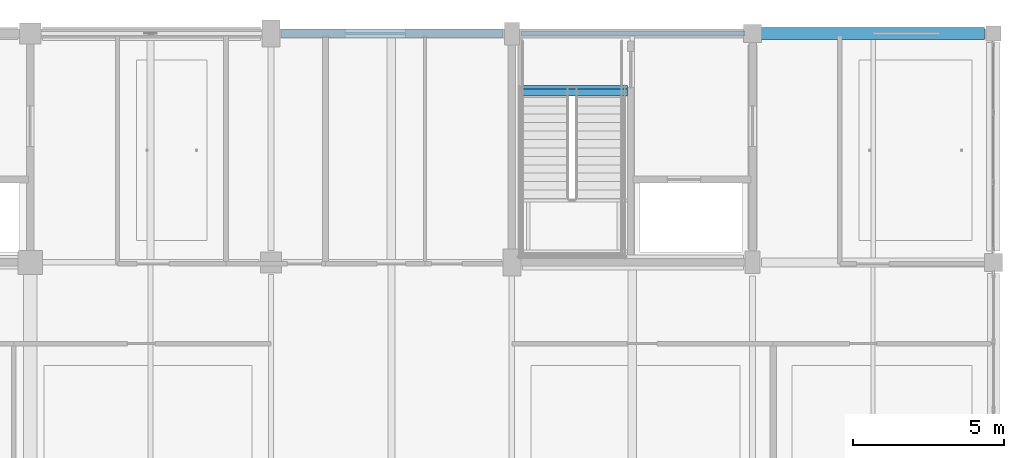
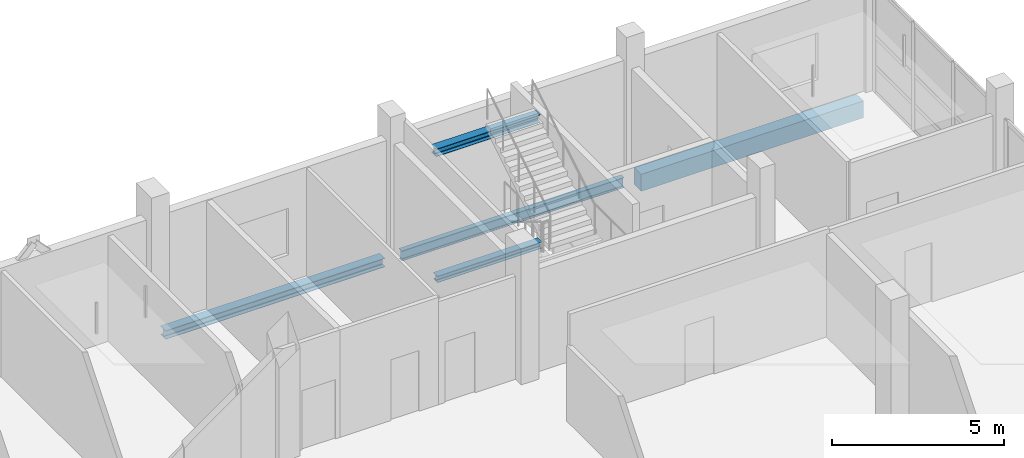
# One storey, part 66 of 147: 5 beams.
"""IFC4 building model written with IfcOpenShell, lengths in metres."""

from ifc_helpers import new_model, si_unit, direction, frame, origin, origin_2d, place, context, subcontext, project, spatial, rectangle, i_section, extrude, material, material_profile, profile_set, type_object, element, save


model = new_model("IFC4")

# Units and contexts
model_context = context("Model", 3, precision=1e-05, world=origin(), true_north=direction((0.0, 1.0)))
body_context = subcontext(model_context, "Body", "Model", "MODEL_VIEW")
ifc_project = project(units=[si_unit("LENGTHUNIT", "METRE"), si_unit("AREAUNIT", "SQUARE_METRE"), si_unit("VOLUMEUNIT", "CUBIC_METRE"), si_unit("PLANEANGLEUNIT", "RADIAN"), si_unit("MASSUNIT", "GRAM", prefix="KILO")], contexts=[model_context])

# Site, building, storey
site_placement = place(None, origin())
site = spatial("IfcSite", under=ifc_project, at=site_placement, CompositionType="ELEMENT")
building_placement = place(site_placement, origin())
building = spatial("IfcBuilding", under=site, at=building_placement, Name="Khelvaren Railside Concert Hall", CompositionType="ELEMENT")
storey_placement = place(building_placement, frame((0.0, 0.0, 5.39990234375)))
storey = spatial("IfcBuildingStorey", under=building, at=storey_placement, Name="L01", CompositionType="ELEMENT", Elevation=5.39990234375)

# Beams
ifc_material_1 = material(Name="Steel S355", Category="steel")
ifc_material_profile_1 = material_profile(ifc_material_1, i_section(OverallWidth=0.239990234375, OverallDepth=0.22998046875, WebThickness=0.007568359375, FlangeThickness=0.011962890625, FilletRadius=0.02099609375, at=origin_2d()), Name="HEA 240")
ifc_profile_set_1 = profile_set([ifc_material_profile_1], Name="Steel S355")
beam_type_1 = type_object("IfcBeamType", Name="BM42", PredefinedType="BEAM", material=ifc_profile_set_1)
beam_1_placement = place(storey_placement, frame((168.344970703125, 112.039306640625, -0.114990234375), z_axis=(1.0, 0.0, 0.0), x_axis=(0.0, 1.0, 0.0)))
element("IfcBeam", 1, at=beam_1_placement, inside=storey, type_object=beam_type_1, Name="ST-10 L01 Stair Foot Trimmer Beam", PredefinedType="BEAM", context=body_context, shape_type="SweptSolid", body=[
    extrude(i_section(OverallWidth=0.239990234375, OverallDepth=0.22998046875, WebThickness=0.007568359375, FlangeThickness=0.011962890625, FilletRadius=0.02099609375, at=origin_2d()), origin(), (0.0, 0.0, 1.0), 3.4951171875),
])
ifc_material_profile_2 = material_profile(ifc_material_1, i_section(OverallWidth=0.280029296875, OverallDepth=0.27001953125, WebThickness=0.008056640625, FlangeThickness=0.012939453125, FilletRadius=0.02392578125, at=origin_2d()), Name="HEA 280")
ifc_profile_set_2 = profile_set([ifc_material_profile_2], Name="Steel S355")
beam_type_2 = type_object("IfcBeamType", Name="BM93", PredefinedType="BEAM", material=ifc_profile_set_2)
beam_2_placement = place(storey_placement, frame((168.344970703125, 112.139892578125, 4.31787109375), z_axis=(1.0, 0.0, 0.0), x_axis=(0.0, 1.0, 0.0)))
element("IfcBeam", 2, at=beam_2_placement, inside=storey, type_object=beam_type_2, Name="ST-10 L01 Stair Top Arrival Trimmer Beam", PredefinedType="BEAM", context=body_context, shape_type="SweptSolid", body=[
    extrude(i_section(OverallWidth=0.280029296875, OverallDepth=0.27001953125, WebThickness=0.008056640625, FlangeThickness=0.012939453125, FilletRadius=0.02392578125, at=origin_2d()), origin(), (0.0, 0.0, 1.0), 3.4951171875),
])
ifc_material_profile_3 = material_profile(ifc_material_1, i_section(OverallWidth=0.300048828125, OverallDepth=0.31005859375, WebThickness=0.009033203125, FlangeThickness=0.015380859375, FilletRadius=0.027099609375, at=origin_2d()), Name="HEA 320")
ifc_profile_set_3 = profile_set([ifc_material_profile_3], Name="Steel S355")
beam_type_3 = type_object("IfcBeamType", Name="SP66", PredefinedType="SPANDREL", material=ifc_profile_set_3)
beam_3_placement = place(storey_placement, frame((160.35009765625, 114.0, -0.454833984375), z_axis=(1.0, 0.0, 0.0), x_axis=(0.0, 1.0, 0.0)))
element("IfcBeam", 3, at=beam_3_placement, inside=storey, type_object=beam_type_3, Name="V5 L01 Spandrel X5.5", PredefinedType="SPANDREL", context=body_context, shape_type="SweptSolid", body=[
    extrude(i_section(OverallWidth=0.300048828125, OverallDepth=0.31005859375, WebThickness=0.009033203125, FlangeThickness=0.015380859375, FilletRadius=0.027099609375, at=origin_2d()), origin(), (0.0, 0.0, 1.0), 7.349853515625),
])
ifc_material_profile_4 = material_profile(ifc_material_1, i_section(OverallWidth=0.169921875, OverallDepth=0.360107421875, WebThickness=0.008056640625, FlangeThickness=0.0126953125, FilletRadius=0.01806640625, at=origin_2d()), Name="IPE 360")
ifc_profile_set_4 = profile_set([ifc_material_profile_4], Name="Steel S355")
beam_type_4 = type_object("IfcBeamType", Name="SP74", PredefinedType="SPANDREL", material=ifc_profile_set_4)
beam_4_placement = place(storey_placement, frame((168.300048828125, 114.0, -0.47998046875), z_axis=(1.0, 0.0, 0.0), x_axis=(0.0, 1.0, 0.0)))
element("IfcBeam", 4, at=beam_4_placement, inside=storey, type_object=beam_type_4, Name="V5 L01 Spandrel X5.6", PredefinedType="SPANDREL", context=body_context, shape_type="SweptSolid", body=[
    extrude(i_section(OverallWidth=0.169921875, OverallDepth=0.360107421875, WebThickness=0.008056640625, FlangeThickness=0.0126953125, FilletRadius=0.01806640625, at=origin_2d()), origin(), (0.0, 0.0, 1.0), 7.449951171875),
])
ifc_material_2 = material(Name="Concrete C40/50", Category="concrete")
ifc_material_profile_5 = material_profile(ifc_material_2, rectangle(XDim=0.39990234375, YDim=0.60009765625, at=origin_2d()), Name="RCB 400x600")
ifc_profile_set_5 = profile_set([ifc_material_profile_5], Name="Concrete C40/50")
beam_type_5 = type_object("IfcBeamType", Name="SP75", PredefinedType="SPANDREL", material=ifc_profile_set_5)
beam_5_placement = place(storey_placement, frame((176.25, 114.0, -0.599853515625), z_axis=(1.0, 0.0, 0.0), x_axis=(0.0, 1.0, 0.0)))
element("IfcBeam", 5, at=beam_5_placement, inside=storey, type_object=beam_type_5, Name="V5 L01 Spandrel X5.7", PredefinedType="SPANDREL", context=body_context, shape_type="SweptSolid", body=[
    extrude(rectangle(XDim=0.39990234375, YDim=0.60009765625, at=origin_2d()), origin(), (0.0, 0.0, 1.0), 7.449951171875),
])

save(model, "model.ifc")
